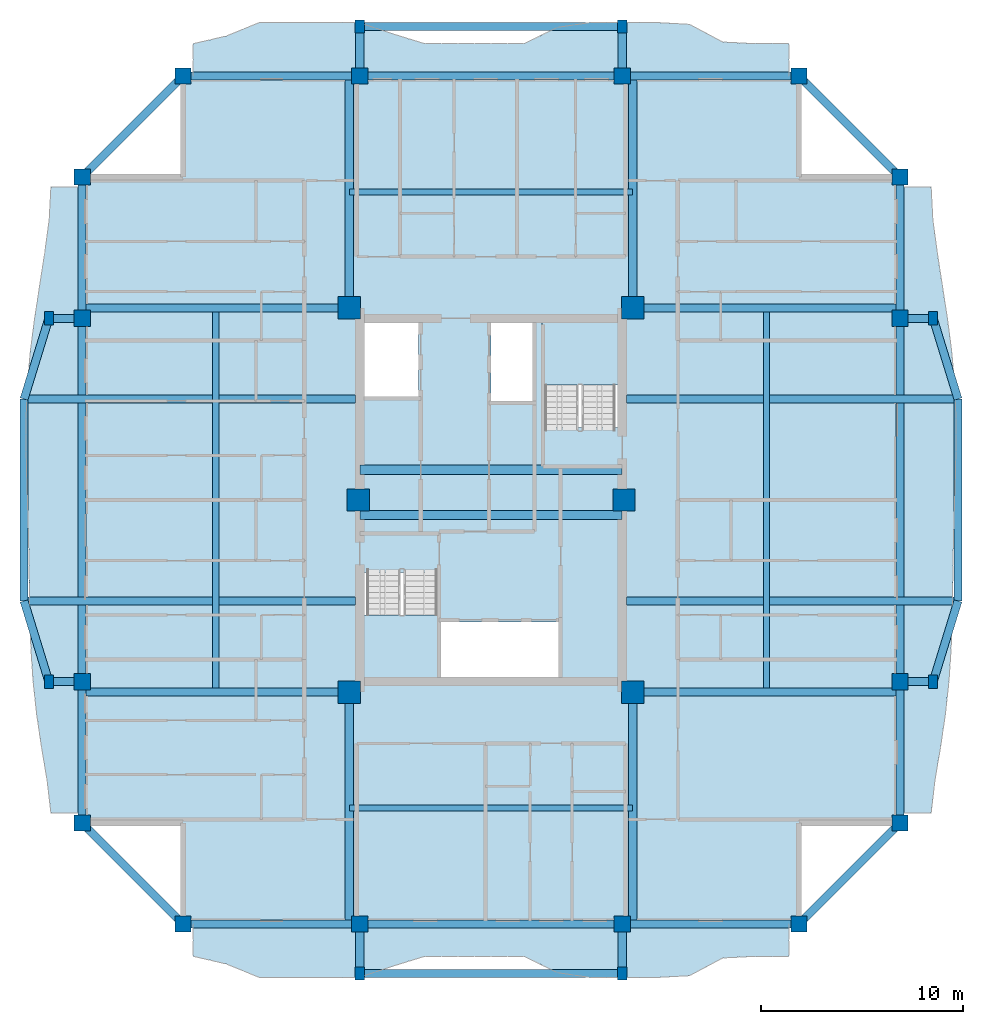
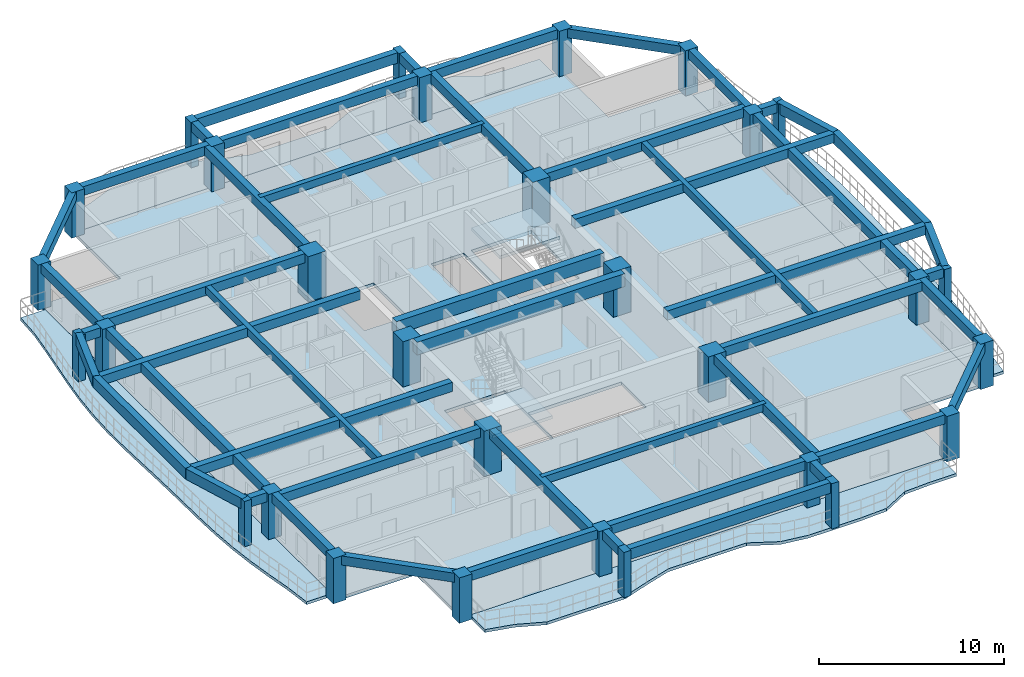
# One storey, part 1 of 13: 50 beams, 30 columns, 7 slabs, 2 elements without a shape of their own.
"""IFC4 building model written with IfcOpenShell, lengths in metres."""

from ifc_helpers import new_model, si_unit, direction, frame, origin, origin_2d, place, context, subcontext, project, spatial, polyline, rectangle, outline, extrude, source, transform, mapped, material, layer, layer_set, material_profile, profile_set, type_object, element, aggregate, save


model = new_model("IFC4")

# Units and contexts
model_context = context("Model", 3, precision=1e-05, world=origin(), true_north=direction((0.0, 1.0)))
body_context = subcontext(model_context, "Body", "Model", "MODEL_VIEW")
ifc_project = project(units=[si_unit("LENGTHUNIT", "METRE"), si_unit("AREAUNIT", "SQUARE_METRE"), si_unit("VOLUMEUNIT", "CUBIC_METRE"), si_unit("PLANEANGLEUNIT", "RADIAN"), si_unit("MASSUNIT", "GRAM", prefix="KILO")], contexts=[model_context])

# Site, building, storey
site_placement = place(None, origin())
site = spatial("IfcSite", under=ifc_project, at=site_placement, CompositionType="ELEMENT")
building_placement = place(site_placement, origin())
building = spatial("IfcBuilding", under=site, at=building_placement, Name="Saelheon Loggia Tower", CompositionType="ELEMENT")
storey_placement = place(building_placement, frame((0.0, 0.0, 189.699951171875)))
storey = spatial("IfcBuildingStorey", under=building, at=storey_placement, Name="L59", CompositionType="ELEMENT", Elevation=189.699951171875)

# Columns
ifc_material_1 = material(Name="Concrete C50/60", Category="concrete")
ifc_material_profile_1 = material_profile(ifc_material_1, rectangle(XDim=1.10009765625, YDim=1.10009765625, at=origin_2d()), Name="RC-1100x1100")
ifc_profile_set_1 = profile_set([ifc_material_profile_1], Name="Concrete C50/60")
column_type_1 = type_object("IfcColumnType", Name="Col_Core_RC1100", PredefinedType="COLUMN", material=ifc_profile_set_1)
shared_shape_1 = source(origin(), body_context, "Body", "SweptSolid", [
    extrude(rectangle(XDim=1.10009765625, YDim=1.10009765625, at=origin_2d()), origin(), (0.0, 0.0, 1.0), 3.0),
])
for number, where, z_axis, x_axis, name in (
    (1, (30.97998046875, 17.47998046875, 0.0), (0.0, 0.0, 1.0), (1.0, 0.0, 0.0), "L59 Core Column CR-SW"),
    (2, (45.02001953125, 17.47998046875, 0.0), (0.0, 0.0, 1.0), (1.0, 0.0, 0.0), "L59 Core Column CR-SE"),
    (3, (30.97998046875, 36.52001953125, 0.0), (0.0, 0.0, 1.0), (1.0, 0.0, 0.0), "L59 Core Column CR-NW"),
    (4, (45.02001953125, 36.52001953125, 0.0), (0.0, 0.0, 1.0), (1.0, 0.0, 0.0), "L59 Core Column CR-NE"),
    (5, (31.419921875, 27.0, 0.0), (0.0, 0.0, 1.0), (1.0, 0.0, 0.0), "L59 Core Column CR-MW"),
    (6, (44.580078125, 27.0, 0.0), (0.0, 0.0, 1.0), (1.0, 0.0, 0.0), "L59 Core Column CR-ME"),
):
    element("IfcColumn", number, at=place(storey_placement, frame(where, z_axis=z_axis, x_axis=x_axis)), inside=storey, type_object=column_type_1, Name=name, PredefinedType="COLUMN", context=body_context, shape_type="MappedRepresentation", body=[
        mapped(shared_shape_1, transform((0.0, 0.0, 0.0), scale=1.0)),
    ])
ifc_material_2 = material(Name="Concrete C45/55", Category="concrete")
ifc_material_profile_2 = material_profile(ifc_material_2, rectangle(XDim=0.800048828125, YDim=0.800048828125, at=origin_2d()), Name="RC-800x800")
ifc_profile_set_2 = profile_set([ifc_material_profile_2], Name="Concrete C45/55")
column_type_2 = type_object("IfcColumnType", Name="Col_Perim_RC800", PredefinedType="COLUMN", material=ifc_profile_set_2)
shared_shape_2 = source(origin(), body_context, "Body", "SweptSolid", [
    extrude(rectangle(XDim=0.800048828125, YDim=0.800048828125, at=origin_2d()), origin(), (0.0, 0.0, 1.0), 3.0),
])
for number, where, z_axis, x_axis, name in (
    (7, (22.75, 6.0, 0.0), (0.0, 0.0, 1.0), (1.0, 0.0, 0.0), "L59 Perimeter Column TP-S1"),
    (8, (31.5, 6.0, 0.0), (0.0, 0.0, 1.0), (1.0, 0.0, 0.0), "L59 Perimeter Column TP-SA"),
    (9, (44.5, 6.0, 0.0), (0.0, 0.0, 1.0), (1.0, 0.0, 0.0), "L59 Perimeter Column TP-SB"),
    (10, (53.25, 6.0, 0.0), (0.0, 0.0, 1.0), (1.0, 0.0, 0.0), "L59 Perimeter Column TP-S2"),
    (11, (58.25, 11.0, 0.0), (0.0, 0.0, 1.0), (1.0, 0.0, 0.0), "L59 Perimeter Column TP-E1"),
    (12, (58.25, 18.0, 0.0), (0.0, 0.0, 1.0), (1.0, 0.0, 0.0), "L59 Perimeter Column TP-EA"),
    (13, (58.25, 36.0, 0.0), (0.0, 0.0, 1.0), (1.0, 0.0, 0.0), "L59 Perimeter Column TP-EB"),
    (14, (58.25, 43.0, 0.0), (0.0, 0.0, 1.0), (1.0, 0.0, 0.0), "L59 Perimeter Column TP-E2"),
    (15, (53.25, 48.0, 0.0), (0.0, 0.0, 1.0), (1.0, 0.0, 0.0), "L59 Perimeter Column TP-N2"),
    (16, (44.5, 48.0, 0.0), (0.0, 0.0, 1.0), (1.0, 0.0, 0.0), "L59 Perimeter Column TP-NB"),
    (17, (31.5, 48.0, 0.0), (0.0, 0.0, 1.0), (1.0, 0.0, 0.0), "L59 Perimeter Column TP-NA"),
    (18, (22.75, 48.0, 0.0), (0.0, 0.0, 1.0), (1.0, 0.0, 0.0), "L59 Perimeter Column TP-N1"),
    (19, (17.75, 43.0, 0.0), (0.0, 0.0, 1.0), (1.0, 0.0, 0.0), "L59 Perimeter Column TP-W2"),
    (20, (17.75, 36.0, 0.0), (0.0, 0.0, 1.0), (1.0, 0.0, 0.0), "L59 Perimeter Column TP-WB"),
    (21, (17.75, 18.0, 0.0), (0.0, 0.0, 1.0), (1.0, 0.0, 0.0), "L59 Perimeter Column TP-WA"),
    (22, (17.75, 11.0, 0.0), (0.0, 0.0, 1.0), (1.0, 0.0, 0.0), "L59 Perimeter Column TP-W1"),
):
    element("IfcColumn", number, at=place(storey_placement, frame(where, z_axis=z_axis, x_axis=x_axis)), inside=storey, type_object=column_type_2, Name=name, PredefinedType="COLUMN", context=body_context, shape_type="MappedRepresentation", body=[
        mapped(shared_shape_2, transform((0.0, 0.0, 0.0), scale=1.0)),
    ])
ifc_material_3 = material(Name="Precast Concrete C45/55", Category="concrete")
ifc_material_profile_3 = material_profile(ifc_material_3, rectangle(XDim=0.449951171875, YDim=0.64990234375, at=origin_2d()), Name="RC-450x650")
ifc_profile_set_3 = profile_set([ifc_material_profile_3], Name="Precast Concrete C45/55")
column_type_3 = type_object("IfcColumnType", Name="Col_Loggia_Pilaster_650", PredefinedType="PILASTER", material=ifc_profile_set_3)
shared_shape_3 = source(origin(), body_context, "Body", "SweptSolid", [
    extrude(rectangle(XDim=0.449951171875, YDim=0.64990234375, at=origin_2d()), origin(), (0.0, 0.0, 1.0), 3.0),
])
for number, where, z_axis, x_axis, name in (
    (23, (31.5, 3.550048828125, 0.0), (0.0, 0.0, 1.0), (1.0, 0.0, 0.0), "L59 Loggia Frame Pilaster LP-S1"),
    (24, (44.5, 3.550048828125, 0.0), (0.0, 0.0, 1.0), (1.0, 0.0, 0.0), "L59 Loggia Frame Pilaster LP-S2"),
    (25, (31.5, 50.449951171875, 0.0), (0.0, 0.0, 1.0), (1.0, 0.0, 0.0), "L59 Loggia Frame Pilaster LP-N1"),
    (26, (44.5, 50.449951171875, 0.0), (0.0, 0.0, 1.0), (1.0, 0.0, 0.0), "L59 Loggia Frame Pilaster LP-N2"),
    (27, (59.89990234375, 18.0, 0.0), (0.0, 0.0, 1.0), (1.0, 0.0, 0.0), "L59 Loggia Frame Pilaster LP-E1"),
    (28, (59.89990234375, 36.0, 0.0), (0.0, 0.0, 1.0), (1.0, 0.0, 0.0), "L59 Loggia Frame Pilaster LP-E2"),
    (29, (16.10009765625, 18.0, 0.0), (0.0, 0.0, 1.0), (1.0, 0.0, 0.0), "L59 Loggia Frame Pilaster LP-W1"),
    (30, (16.10009765625, 36.0, 0.0), (0.0, 0.0, 1.0), (1.0, 0.0, 0.0), "L59 Loggia Frame Pilaster LP-W2"),
):
    element("IfcColumn", number, at=place(storey_placement, frame(where, z_axis=z_axis, x_axis=x_axis)), inside=storey, type_object=column_type_3, Name=name, PredefinedType="PILASTER", context=body_context, shape_type="MappedRepresentation", body=[
        mapped(shared_shape_3, transform((0.0, 0.0, 0.0), scale=1.0)),
    ])

# Beams
ifc_material_profile_4 = material_profile(ifc_material_1, rectangle(XDim=0.449951171875, YDim=0.85009765625, at=origin_2d()), Name="RC-450x850")
ifc_profile_set_4 = profile_set([ifc_material_profile_4], Name="Concrete C50/60")
beam_type_1 = type_object("IfcBeamType", Name="Beam_CoreLintel_RC450x850", PredefinedType="LINTEL", material=ifc_profile_set_4)
shared_shape_4 = source(origin(), body_context, "Body", "SweptSolid", [
    extrude(rectangle(XDim=0.449951171875, YDim=0.85009765625, at=origin_2d()), origin(), (0.0, 0.0, 1.0), 13.0),
])
for number, where, z_axis, x_axis, name in (
    (31, (31.5, 26.25, 2.574951171875), (1.0, 0.0, 0.0), (0.0, 1.0, 0.0), "L59 Core Coupling Lintel 1"),
    (32, (31.5, 28.5, 2.574951171875), (1.0, 0.0, 0.0), (0.0, 1.0, 0.0), "L59 Core Coupling Lintel 2"),
):
    element("IfcBeam", number, at=place(storey_placement, frame(where, z_axis=z_axis, x_axis=x_axis)), inside=storey, type_object=beam_type_1, Name=name, PredefinedType="LINTEL", context=body_context, shape_type="MappedRepresentation", body=[
        mapped(shared_shape_4, transform((0.0, 0.0, 0.0), scale=1.0)),
    ])
ifc_material_profile_5 = material_profile(ifc_material_3, rectangle(XDim=0.39990234375, YDim=0.60009765625, at=origin_2d()), Name="RC-400x600")
ifc_profile_set_5 = profile_set([ifc_material_profile_5], Name="Precast Concrete C45/55")
beam_type_2 = type_object("IfcBeamType", Name="Beam_LoggiaTie_RC400x600", PredefinedType="BEAM", material=ifc_profile_set_5)
shared_shape_5 = source(origin(), body_context, "Body", "SweptSolid", [
    extrude(rectangle(XDim=0.39990234375, YDim=0.60009765625, at=origin_2d()), origin(), (0.0, 0.0, 1.0), 2.449951171875),
])
for number, where, z_axis, x_axis, name in (
    (33, (31.5, 6.0, 2.699951171875), (0.0, -1.0, 0.0), (1.0, 0.0, 0.0), "L59 Loggia Frame Tie Beam LP-S1"),
    (34, (44.5, 6.0, 2.699951171875), (0.0, -1.0, 0.0), (1.0, 0.0, 0.0), "L59 Loggia Frame Tie Beam LP-S2"),
    (35, (31.5, 48.0, 2.699951171875), (0.0, 1.0, 0.0), (-1.0, 0.0, 0.0), "L59 Loggia Frame Tie Beam LP-N1"),
    (36, (44.5, 48.0, 2.699951171875), (0.0, 1.0, 0.0), (-1.0, 0.0, 0.0), "L59 Loggia Frame Tie Beam LP-N2"),
):
    element("IfcBeam", number, at=place(storey_placement, frame(where, z_axis=z_axis, x_axis=x_axis)), inside=storey, type_object=beam_type_2, Name=name, PredefinedType="BEAM", context=body_context, shape_type="MappedRepresentation", body=[
        mapped(shared_shape_5, transform((0.0, 0.0, 0.0), scale=1.0)),
    ])
ifc_material_4 = material(Name="Concrete C40/50", Category="concrete")
ifc_material_profile_6 = material_profile(ifc_material_4, rectangle(XDim=0.300048828125, YDim=0.5, at=origin_2d()), Name="RC-300x500")
ifc_profile_set_6 = profile_set([ifc_material_profile_6], Name="Concrete C40/50")
beam_type_3 = type_object("IfcBeamType", Name="Beam_Joist_RC300x500", PredefinedType="JOIST", material=ifc_profile_set_6)
shared_shape_6 = source(origin(), body_context, "Body", "SweptSolid", [
    extrude(rectangle(XDim=0.300048828125, YDim=0.5, at=origin_2d()), origin(), (0.0, 0.0, 1.0), 14.0400390625),
])
for number, where, z_axis, x_axis, name in (
    (37, (30.97998046875, 11.739990234375, 2.75), (1.0, 0.0, 0.0), (0.0, 1.0, 0.0), "L59 South Floor Joist"),
    (38, (30.97998046875, 42.260009765625, 2.75), (1.0, 0.0, 0.0), (0.0, 1.0, 0.0), "L59 North Floor Joist"),
):
    element("IfcBeam", number, at=place(storey_placement, frame(where, z_axis=z_axis, x_axis=x_axis)), inside=storey, type_object=beam_type_3, Name=name, PredefinedType="JOIST", context=body_context, shape_type="MappedRepresentation", body=[
        mapped(shared_shape_6, transform((0.0, 0.0, 0.0), scale=1.0)),
    ])
shared_shape_7 = source(origin(), body_context, "Body", "SweptSolid", [
    extrude(rectangle(XDim=0.300048828125, YDim=0.5, at=origin_2d()), origin(), (0.0, 0.0, 1.0), 19.0400390625),
])
for number, where, z_axis, x_axis, name in (
    (39, (24.364990234375, 17.47998046875, 2.75), (0.0, 1.0, 0.0), (-1.0, 0.0, 0.0), "L59 West Floor Joist"),
    (40, (51.635009765625, 17.47998046875, 2.75), (0.0, 1.0, 0.0), (-1.0, 0.0, 0.0), "L59 East Floor Joist"),
):
    element("IfcBeam", number, at=place(storey_placement, frame(where, z_axis=z_axis, x_axis=x_axis)), inside=storey, type_object=beam_type_3, Name=name, PredefinedType="JOIST", context=body_context, shape_type="MappedRepresentation", body=[
        mapped(shared_shape_7, transform((0.0, 0.0, 0.0), scale=1.0)),
    ])
shared_shape_8 = source(origin(), body_context, "Body", "SweptSolid", [
    extrude(rectangle(XDim=0.39990234375, YDim=0.60009765625, at=origin_2d()), origin(), (0.0, 0.0, 1.0), 1.64990234375),
])
for number, where, z_axis, x_axis, name in (
    (41, (58.25, 18.0, 2.699951171875), (1.0, 0.0, 0.0), (0.0, 1.0, 0.0), "L59 Loggia Frame Tie Beam LP-E1"),
    (42, (58.25, 36.0, 2.699951171875), (1.0, 0.0, 0.0), (0.0, 1.0, 0.0), "L59 Loggia Frame Tie Beam LP-E2"),
    (43, (17.75, 18.0, 2.699951171875), (-1.0, 0.0, 0.0), (0.0, -1.0, 0.0), "L59 Loggia Frame Tie Beam LP-W1"),
    (44, (17.75, 36.0, 2.699951171875), (-1.0, 0.0, 0.0), (0.0, -1.0, 0.0), "L59 Loggia Frame Tie Beam LP-W2"),
):
    element("IfcBeam", number, at=place(storey_placement, frame(where, z_axis=z_axis, x_axis=x_axis)), inside=storey, type_object=beam_type_2, Name=name, PredefinedType="BEAM", context=body_context, shape_type="MappedRepresentation", body=[
        mapped(shared_shape_8, transform((0.0, 0.0, 0.0), scale=1.0)),
    ])
ifc_material_profile_7 = material_profile(ifc_material_3, rectangle(XDim=0.39990234375, YDim=0.699951171875, at=origin_2d()), Name="RC-400x700")
ifc_profile_set_7 = profile_set([ifc_material_profile_7], Name="Precast Concrete C45/55")
beam_type_4 = type_object("IfcBeamType", Name="Beam_LoggiaSpandrel_RC400x700", PredefinedType="SPANDREL", material=ifc_profile_set_7)
shared_shape_9 = source(origin(), body_context, "Body", "SweptSolid", [
    extrude(rectangle(XDim=0.39990234375, YDim=0.699951171875, at=origin_2d()), origin(), (0.0, 0.0, 1.0), 13.0),
])
for number, where, z_axis, x_axis, name in (
    (45, (31.5, 3.550048828125, 2.650146484375), (1.0, 0.0, 0.0), (0.0, 1.0, 0.0), "L59 Loggia Spandrel Beam S"),
    (46, (31.5, 50.449951171875, 2.650146484375), (1.0, 0.0, 0.0), (0.0, 1.0, 0.0), "L59 Loggia Spandrel Beam N"),
):
    element("IfcBeam", number, at=place(storey_placement, frame(where, z_axis=z_axis, x_axis=x_axis)), inside=storey, type_object=beam_type_4, Name=name, PredefinedType="SPANDREL", context=body_context, shape_type="MappedRepresentation", body=[
        mapped(shared_shape_9, transform((0.0, 0.0, 0.0), scale=1.0)),
    ])
shared_shape_10 = source(origin(), body_context, "Body", "SweptSolid", [
    extrude(rectangle(XDim=0.39990234375, YDim=0.60009765625, at=origin_2d()), origin(), (0.0, 0.0, 1.0), 16.409912109375),
])
for number, where, z_axis, x_axis, name in (
    (47, (44.719970703125, 22.0, 2.699951171875), (1.0, 0.0, 0.0), (0.0, 1.0, 0.0), "L59 Curved Facade Outrigger Beam E 1"),
    (48, (44.719970703125, 32.0, 2.699951171875), (1.0, 0.0, 0.0), (0.0, 1.0, 0.0), "L59 Curved Facade Outrigger Beam E 2"),
    (49, (31.280029296875, 22.0, 2.699951171875), (-1.0, 0.0, 0.0), (0.0, -1.0, 0.0), "L59 Curved Facade Outrigger Beam W 1"),
    (50, (31.280029296875, 32.0, 2.699951171875), (-1.0, 0.0, 0.0), (0.0, -1.0, 0.0), "L59 Curved Facade Outrigger Beam W 2"),
):
    element("IfcBeam", number, at=place(storey_placement, frame(where, z_axis=z_axis, x_axis=x_axis)), inside=storey, type_object=beam_type_2, Name=name, PredefinedType="BEAM", context=body_context, shape_type="MappedRepresentation", body=[
        mapped(shared_shape_10, transform((0.0, 0.0, 0.0), scale=1.0)),
    ])
shared_shape_11 = source(origin(), body_context, "Body", "SweptSolid", [
    extrude(rectangle(XDim=0.39990234375, YDim=0.699951171875, at=origin_2d()), origin(), (0.0, 0.0, 1.0), 4.184814453125),
])
for number, where, z_axis, x_axis, name in (
    (51, (59.89990234375, 18.0, 2.650146484375), (0.293913664135, 0.955831971653, 0.0), (-0.955831971653, 0.293913664135, 0.0), "L59 Curved Loggia Spandrel E 1"),
    (52, (61.1298828125, 32.0, 2.650146484375), (-0.293913664135, 0.955831971653, 0.0), (-0.955831971653, -0.293913664135, 0.0), "L59 Curved Loggia Spandrel E 3"),
    (53, (16.10009765625, 18.0, 2.650146484375), (-0.293913664135, 0.955831971653, 0.0), (-0.955831971653, -0.293913664135, 0.0), "L59 Curved Loggia Spandrel W 1"),
    (54, (14.8701171875, 32.0, 2.650146484375), (0.293913664135, 0.955831971653, 0.0), (-0.955831971653, 0.293913664135, 0.0), "L59 Curved Loggia Spandrel W 3"),
):
    element("IfcBeam", number, at=place(storey_placement, frame(where, z_axis=z_axis, x_axis=x_axis)), inside=storey, type_object=beam_type_4, Name=name, PredefinedType="SPANDREL", context=body_context, shape_type="MappedRepresentation", body=[
        mapped(shared_shape_11, transform((0.0, 0.0, 0.0), scale=1.0)),
    ])
shared_shape_12 = source(origin(), body_context, "Body", "SweptSolid", [
    extrude(rectangle(XDim=0.39990234375, YDim=0.699951171875, at=origin_2d()), origin(), (0.0, 0.0, 1.0), 10.0),
])
for number, where, z_axis, x_axis, name in (
    (55, (61.1298828125, 22.0, 2.650146484375), (0.0, 1.0, 0.0), (-1.0, 0.0, 0.0), "L59 Curved Loggia Spandrel E 2"),
    (56, (14.8701171875, 22.0, 2.650146484375), (0.0, 1.0, 0.0), (-1.0, 0.0, 0.0), "L59 Curved Loggia Spandrel W 2"),
):
    element("IfcBeam", number, at=place(storey_placement, frame(where, z_axis=z_axis, x_axis=x_axis)), inside=storey, type_object=beam_type_4, Name=name, PredefinedType="SPANDREL", context=body_context, shape_type="MappedRepresentation", body=[
        mapped(shared_shape_12, transform((0.0, 0.0, 0.0), scale=1.0)),
    ])
ifc_material_profile_8 = material_profile(ifc_material_4, rectangle(XDim=0.39990234375, YDim=0.60009765625, at=origin_2d()), Name="RC-400x600")
ifc_profile_set_8 = profile_set([ifc_material_profile_8], Name="Concrete C40/50")
beam_type_5 = type_object("IfcBeamType", Name="Beam_PerimUpper_RC400x600", PredefinedType="BEAM", material=ifc_profile_set_8)
shared_shape_13 = source(origin(), body_context, "Body", "SweptSolid", [
    extrude(rectangle(XDim=0.39990234375, YDim=0.60009765625, at=origin_2d()), origin(), (0.0, 0.0, 1.0), 8.75),
])
for number, where, z_axis, x_axis, name in (
    (57, (22.75, 6.0, 2.699951171875), (1.0, 0.0, 0.0), (0.0, 1.0, 0.0), "L59 Perimeter Frame Girder 01"),
    (58, (44.5, 6.0, 2.699951171875), (1.0, 0.0, 0.0), (0.0, 1.0, 0.0), "L59 Perimeter Frame Girder 03"),
    (59, (53.25, 48.0, 2.699951171875), (-1.0, 0.0, 0.0), (0.0, -1.0, 0.0), "L59 Perimeter Frame Girder 09"),
    (60, (31.5, 48.0, 2.699951171875), (-1.0, 0.0, 0.0), (0.0, -1.0, 0.0), "L59 Perimeter Frame Girder 11"),
):
    element("IfcBeam", number, at=place(storey_placement, frame(where, z_axis=z_axis, x_axis=x_axis)), inside=storey, type_object=beam_type_5, Name=name, PredefinedType="BEAM", context=body_context, shape_type="MappedRepresentation", body=[
        mapped(shared_shape_13, transform((0.0, 0.0, 0.0), scale=1.0)),
    ])
shared_shape_14 = source(origin(), body_context, "Body", "SweptSolid", [
    extrude(rectangle(XDim=0.39990234375, YDim=0.60009765625, at=origin_2d()), origin(), (0.0, 0.0, 1.0), 13.0),
])
for number, where, z_axis, x_axis, name in (
    (61, (31.5, 6.0, 2.699951171875), (1.0, 0.0, 0.0), (0.0, 1.0, 0.0), "L59 Perimeter Frame Girder 02"),
    (62, (44.5, 48.0, 2.699951171875), (-1.0, 0.0, 0.0), (0.0, -1.0, 0.0), "L59 Perimeter Frame Girder 10"),
):
    element("IfcBeam", number, at=place(storey_placement, frame(where, z_axis=z_axis, x_axis=x_axis)), inside=storey, type_object=beam_type_5, Name=name, PredefinedType="BEAM", context=body_context, shape_type="MappedRepresentation", body=[
        mapped(shared_shape_14, transform((0.0, 0.0, 0.0), scale=1.0)),
    ])
shared_shape_15 = source(origin(), body_context, "Body", "SweptSolid", [
    extrude(rectangle(XDim=0.39990234375, YDim=0.60009765625, at=origin_2d()), origin(), (0.0, 0.0, 1.0), 7.071044921875),
])
for number, where, z_axis, x_axis, name in (
    (63, (53.25, 6.0, 2.699951171875), (0.707106781187, 0.707106781187, 0.0), (-0.707106781187, 0.707106781187, 0.0), "L59 Perimeter Frame Girder 04"),
    (64, (58.25, 43.0, 2.699951171875), (-0.707106781187, 0.707106781187, 0.0), (-0.707106781187, -0.707106781187, 0.0), "L59 Perimeter Frame Girder 08"),
    (65, (22.75, 48.0, 2.699951171875), (-0.707106781187, -0.707106781187, 0.0), (0.707106781187, -0.707106781187, 0.0), "L59 Perimeter Frame Girder 12"),
    (66, (17.75, 11.0, 2.699951171875), (0.707106781187, -0.707106781187, 0.0), (0.707106781187, 0.707106781187, 0.0), "L59 Perimeter Frame Girder 16"),
):
    element("IfcBeam", number, at=place(storey_placement, frame(where, z_axis=z_axis, x_axis=x_axis)), inside=storey, type_object=beam_type_5, Name=name, PredefinedType="BEAM", context=body_context, shape_type="MappedRepresentation", body=[
        mapped(shared_shape_15, transform((0.0, 0.0, 0.0), scale=1.0)),
    ])
shared_shape_16 = source(origin(), body_context, "Body", "SweptSolid", [
    extrude(rectangle(XDim=0.39990234375, YDim=0.60009765625, at=origin_2d()), origin(), (0.0, 0.0, 1.0), 7.0),
])
for number, where, z_axis, x_axis, name in (
    (67, (58.25, 11.0, 2.699951171875), (0.0, 1.0, 0.0), (-1.0, 0.0, 0.0), "L59 Perimeter Frame Girder 05"),
    (68, (58.25, 36.0, 2.699951171875), (0.0, 1.0, 0.0), (-1.0, 0.0, 0.0), "L59 Perimeter Frame Girder 07"),
    (69, (17.75, 43.0, 2.699951171875), (0.0, -1.0, 0.0), (1.0, 0.0, 0.0), "L59 Perimeter Frame Girder 13"),
    (70, (17.75, 18.0, 2.699951171875), (0.0, -1.0, 0.0), (1.0, 0.0, 0.0), "L59 Perimeter Frame Girder 15"),
):
    element("IfcBeam", number, at=place(storey_placement, frame(where, z_axis=z_axis, x_axis=x_axis)), inside=storey, type_object=beam_type_5, Name=name, PredefinedType="BEAM", context=body_context, shape_type="MappedRepresentation", body=[
        mapped(shared_shape_16, transform((0.0, 0.0, 0.0), scale=1.0)),
    ])
shared_shape_17 = source(origin(), body_context, "Body", "SweptSolid", [
    extrude(rectangle(XDim=0.39990234375, YDim=0.60009765625, at=origin_2d()), origin(), (0.0, 0.0, 1.0), 18.0),
])
for number, where, z_axis, x_axis, name in (
    (71, (58.25, 18.0, 2.699951171875), (0.0, 1.0, 0.0), (-1.0, 0.0, 0.0), "L59 Perimeter Frame Girder 06"),
    (72, (17.75, 36.0, 2.699951171875), (0.0, -1.0, 0.0), (1.0, 0.0, 0.0), "L59 Perimeter Frame Girder 14"),
):
    element("IfcBeam", number, at=place(storey_placement, frame(where, z_axis=z_axis, x_axis=x_axis)), inside=storey, type_object=beam_type_5, Name=name, PredefinedType="BEAM", context=body_context, shape_type="MappedRepresentation", body=[
        mapped(shared_shape_17, transform((0.0, 0.0, 0.0), scale=1.0)),
    ])
ifc_material_profile_9 = material_profile(ifc_material_4, rectangle(XDim=0.39990234375, YDim=0.60009765625, at=origin_2d()), Name="RC-400x600")
ifc_profile_set_9 = profile_set([ifc_material_profile_9], Name="Concrete C40/50")
beam_type_6 = type_object("IfcBeamType", Name="Beam_UpperGirder_RC400x600", PredefinedType="BEAM", material=ifc_profile_set_9)
shared_shape_18 = source(origin(), body_context, "Body", "SweptSolid", [
    extrude(rectangle(XDim=0.39990234375, YDim=0.60009765625, at=origin_2d()), origin(), (0.0, 0.0, 1.0), 11.47998046875),
])
for number, where, z_axis, x_axis, name in (
    (73, (30.97998046875, 17.47998046875, 2.699951171875), (0.0, -1.0, 0.0), (1.0, 0.0, 0.0), "L59 Radial Floor Girder RAD-SW-S"),
    (74, (45.02001953125, 17.47998046875, 2.699951171875), (0.0, -1.0, 0.0), (1.0, 0.0, 0.0), "L59 Radial Floor Girder RAD-SE-S"),
    (75, (30.97998046875, 36.52001953125, 2.699951171875), (0.0, 1.0, 0.0), (-1.0, 0.0, 0.0), "L59 Radial Floor Girder RAD-NW-N"),
    (76, (45.02001953125, 36.52001953125, 2.699951171875), (0.0, 1.0, 0.0), (-1.0, 0.0, 0.0), "L59 Radial Floor Girder RAD-NE-N"),
):
    element("IfcBeam", number, at=place(storey_placement, frame(where, z_axis=z_axis, x_axis=x_axis)), inside=storey, type_object=beam_type_6, Name=name, PredefinedType="BEAM", context=body_context, shape_type="MappedRepresentation", body=[
        mapped(shared_shape_18, transform((0.0, 0.0, 0.0), scale=1.0)),
    ])
shared_shape_19 = source(origin(), body_context, "Body", "SweptSolid", [
    extrude(rectangle(XDim=0.39990234375, YDim=0.60009765625, at=origin_2d()), origin(), (0.0, 0.0, 1.0), 13.22998046875),
])
for number, where, z_axis, x_axis, name in (
    (77, (30.97998046875, 17.47998046875, 2.699951171875), (-1.0, 0.0, 0.0), (0.0, -1.0, 0.0), "L59 Radial Floor Girder RAD-SW-W"),
    (78, (30.97998046875, 36.52001953125, 2.699951171875), (-1.0, 0.0, 0.0), (0.0, -1.0, 0.0), "L59 Radial Floor Girder RAD-NW-W"),
    (79, (45.02001953125, 17.47998046875, 2.699951171875), (1.0, 0.0, 0.0), (0.0, 1.0, 0.0), "L59 Radial Floor Girder RAD-SE-E"),
    (80, (45.02001953125, 36.52001953125, 2.699951171875), (1.0, 0.0, 0.0), (0.0, 1.0, 0.0), "L59 Radial Floor Girder RAD-NE-E"),
):
    element("IfcBeam", number, at=place(storey_placement, frame(where, z_axis=z_axis, x_axis=x_axis)), inside=storey, type_object=beam_type_6, Name=name, PredefinedType="BEAM", context=body_context, shape_type="MappedRepresentation", body=[
        mapped(shared_shape_19, transform((0.0, 0.0, 0.0), scale=1.0)),
    ])

# Slabs
ifc_layer_1 = layer(ifc_material_3, 0.18994140625)
ifc_layer_set_1 = layer_set([ifc_layer_1], Name="Precast Concrete C45/55")
slab_type_1 = type_object("IfcSlabType", Name="Slab_Loggia_Ext_190", PredefinedType="FLOOR", material=ifc_layer_set_1)
slab_1_placement = place(storey_placement, frame((0.0, 0.0, -0.18994140625)))
element("IfcSlab", 81, at=slab_1_placement, inside=storey, type_object=slab_type_1, Name="L59 Loggia Balcony Slab S", PredefinedType="FLOOR", context=body_context, shape_type="SweptSolid", body=[
    extrude(outline(polyline([(23.25, 4.39990234375), (24.888916015625, 4.018798828125), (26.52783203125, 3.35009765625), (28.166748046875, 3.35009765625), (29.8056640625, 3.35009765625), (31.4443359375, 3.35009765625), (33.083251953125, 3.895263671875), (34.72216796875, 4.39990234375), (36.361083984375, 4.39990234375), (38.0, 4.39990234375), (39.638916015625, 4.39990234375), (41.27783203125, 3.591796875), (42.916748046875, 3.35009765625), (44.5556640625, 3.35009765625), (46.1943359375, 3.35009765625), (47.833251953125, 3.439697265625), (49.47216796875, 4.314697265625), (51.111083984375, 4.39990234375), (52.75, 4.39990234375), (52.75, 6.0), (23.25, 6.0), (23.25, 4.39990234375)])), origin(), (0.0, 0.0, 1.0), 0.18994140625),
])
slab_2_placement = place(storey_placement, frame((0.0, 0.0, -0.18994140625)))
element("IfcSlab", 82, at=slab_2_placement, inside=storey, type_object=slab_type_1, Name="L59 Loggia Balcony Slab N", PredefinedType="FLOOR", context=body_context, shape_type="SweptSolid", body=[
    extrude(outline(polyline([(23.25, 48.0), (52.75, 48.0), (52.75, 49.60009765625), (51.111083984375, 49.60009765625), (49.47216796875, 49.685302734375), (47.833251953125, 50.560302734375), (46.1943359375, 50.64990234375), (44.5556640625, 50.64990234375), (42.916748046875, 50.64990234375), (41.27783203125, 50.408203125), (39.638916015625, 49.60009765625), (38.0, 49.60009765625), (36.361083984375, 49.60009765625), (34.72216796875, 49.60009765625), (33.083251953125, 50.104736328125), (31.4443359375, 50.64990234375), (29.8056640625, 50.64990234375), (28.166748046875, 50.64990234375), (26.52783203125, 50.64990234375), (24.888916015625, 49.981201171875), (23.25, 49.60009765625), (23.25, 48.0)])), origin(), (0.0, 0.0, 1.0), 0.18994140625),
])
slab_3_placement = place(storey_placement, frame((0.0, 0.0, -0.18994140625)))
element("IfcSlab", 83, at=slab_3_placement, inside=storey, type_object=slab_type_1, Name="L59 Loggia Balcony Slab E", PredefinedType="FLOOR", context=body_context, shape_type="SweptSolid", body=[
    extrude(outline(polyline([(58.25, 11.5), (59.800048828125, 11.5), (59.990478515625, 13.131591796875), (60.266357421875, 14.76318359375), (60.506103515625, 16.394775390625), (60.683349609375, 18.0263671875), (60.79150390625, 19.657958984375), (60.844482421875, 21.28955078125), (60.869873046875, 22.921142578125), (60.895263671875, 24.552490234375), (60.93603515625, 26.18408203125), (60.988525390625, 27.81591796875), (61.031005859375, 29.447509765625), (61.0322265625, 31.078857421875), (60.9658203125, 32.71044921875), (60.8212890625, 34.342041015625), (60.609130859375, 35.9736328125), (60.35888671875, 37.605224609375), (60.107421875, 39.23681640625), (59.885986328125, 40.868408203125), (59.800048828125, 42.5), (58.25, 42.5), (58.25, 11.5)])), origin(), (0.0, 0.0, 1.0), 0.18994140625),
])
slab_4_placement = place(storey_placement, frame((0.0, 0.0, -0.18994140625)))
element("IfcSlab", 84, at=slab_4_placement, inside=storey, type_object=slab_type_1, Name="L59 Loggia Balcony Slab W", PredefinedType="FLOOR", context=body_context, shape_type="SweptSolid", body=[
    extrude(outline(polyline([(17.75, 11.5), (17.75, 42.5), (16.199951171875, 42.5), (16.114013671875, 40.868408203125), (15.892578125, 39.23681640625), (15.64111328125, 37.605224609375), (15.390869140625, 35.9736328125), (15.1787109375, 34.342041015625), (15.0341796875, 32.71044921875), (14.9677734375, 31.078857421875), (14.968994140625, 29.447509765625), (15.011474609375, 27.81591796875), (15.06396484375, 26.18408203125), (15.104736328125, 24.552490234375), (15.130126953125, 22.921142578125), (15.155517578125, 21.28955078125), (15.20849609375, 19.657958984375), (15.316650390625, 18.0263671875), (15.493896484375, 16.394775390625), (15.733642578125, 14.76318359375), (16.009521484375, 13.131591796875), (16.199951171875, 11.5), (17.75, 11.5)])), origin(), (0.0, 0.0, 1.0), 0.18994140625),
])

# Stair, slab
stair_type = type_object("IfcStairType", Name="Stair_Escape_Core", PredefinedType="HALF_TURN_STAIR", material=ifc_material_4)
stair_1_placement = place(storey_placement, origin())
stair_1 = element("IfcStair", 85, at=stair_1_placement, inside=storey, type_object=stair_type, Name="L59 Special Escape Stair ST1", PredefinedType="HALF_TURN_STAIR")
ifc_layer_2 = layer(ifc_material_4, 0.199951171875)
ifc_layer_set_2 = layer_set([ifc_layer_2], Name="Concrete C40/50")
slab_type_2 = type_object("IfcSlabType", Name="Slab_StairLanding_ST1", PredefinedType="LANDING", material=ifc_layer_set_2)
slab_5_placement = place(storey_placement, frame((0.0, 0.0, 1.300048828125)))
slab_5 = element("IfcSlab", 86, at=slab_5_placement, type_object=slab_type_2, Name="ST1 landing 1", PredefinedType="LANDING", context=body_context, shape_type="SweptSolid", body=[
    extrude(outline(polyline([(31.7099609375, 21.31005859375), (31.7099609375, 18.2099609375), (35.469970703125, 18.2099609375), (35.469970703125, 21.31005859375), (31.7099609375, 21.31005859375)])), origin(), (0.0, 0.0, 1.0), 0.199951171875),
])
aggregate(stair_1, [slab_5])

stair_2_placement = place(storey_placement, origin())
stair_2 = element("IfcStair", 87, at=stair_2_placement, inside=storey, type_object=stair_type, Name="L59 Special Escape Stair ST2", PredefinedType="HALF_TURN_STAIR")
ifc_layer_3 = layer(ifc_material_4, 0.199951171875)
ifc_layer_set_3 = layer_set([ifc_layer_3], Name="Concrete C40/50")
slab_type_3 = type_object("IfcSlabType", Name="Slab_StairLanding_ST2", PredefinedType="LANDING", material=ifc_layer_set_3)
slab_6_placement = place(storey_placement, frame((0.0, 0.0, 1.300048828125)))
slab_6 = element("IfcSlab", 88, at=slab_6_placement, type_object=slab_type_3, Name="ST2 landing 1", PredefinedType="LANDING", context=body_context, shape_type="SweptSolid", body=[
    extrude(outline(polyline([(44.2900390625, 32.68994140625), (44.2900390625, 35.7900390625), (40.530029296875, 35.7900390625), (40.530029296875, 32.68994140625), (44.2900390625, 32.68994140625)])), origin(), (0.0, 0.0, 1.0), 0.199951171875),
])
aggregate(stair_2, [slab_6])

# Slab
ifc_layer_4 = layer(ifc_material_4, 0.2099609375)
ifc_layer_set_4 = layer_set([ifc_layer_4], Name="Concrete C40/50")
slab_type_4 = type_object("IfcSlabType", Name="Slab_Tower_210", PredefinedType="FLOOR", material=ifc_layer_set_4)
slab_7_placement = place(storey_placement, frame((0.0, 0.0, -0.2099609375)))
element("IfcSlab", 89, at=slab_7_placement, inside=storey, type_object=slab_type_4, Name="L59 Tower Floor Slab", PredefinedType="FLOOR", context=body_context, shape_type="SweptSolid", body=[
    extrude(outline(polyline([(22.75, 6.0), (53.25, 6.0), (53.25, 11.0), (58.25, 11.0), (58.25, 43.0), (53.25, 43.0), (53.25, 48.0), (22.75, 48.0), (22.75, 43.0), (17.75, 43.0), (17.75, 11.0), (22.75, 11.0), (22.75, 6.0)]), holes=[polyline([(31.699951171875, 23.409912109375), (31.699951171875, 18.199951171875), (35.47998046875, 18.199951171875), (35.47998046875, 23.409912109375), (31.699951171875, 23.409912109375)]), polyline([(44.300048828125, 30.590087890625), (44.300048828125, 35.800048828125), (40.52001953125, 35.800048828125), (40.52001953125, 30.590087890625), (44.300048828125, 30.590087890625)]), polyline([(35.530029296875, 18.22509765625), (41.35009765625, 18.22509765625), (41.35009765625, 20.9599609375), (35.530029296875, 20.9599609375), (35.530029296875, 18.22509765625)]), polyline([(31.72509765625, 32.1201171875), (34.419921875, 32.1201171875), (34.419921875, 35.77490234375), (31.72509765625, 35.77490234375), (31.72509765625, 32.1201171875)]), polyline([(38.0, 31.89990234375), (40.050048828125, 31.89990234375), (40.050048828125, 35.77490234375), (38.0, 35.77490234375), (38.0, 31.89990234375)])]), origin(), (0.0, 0.0, 1.0), 0.2099609375),
])

save(model, "model.ifc")
